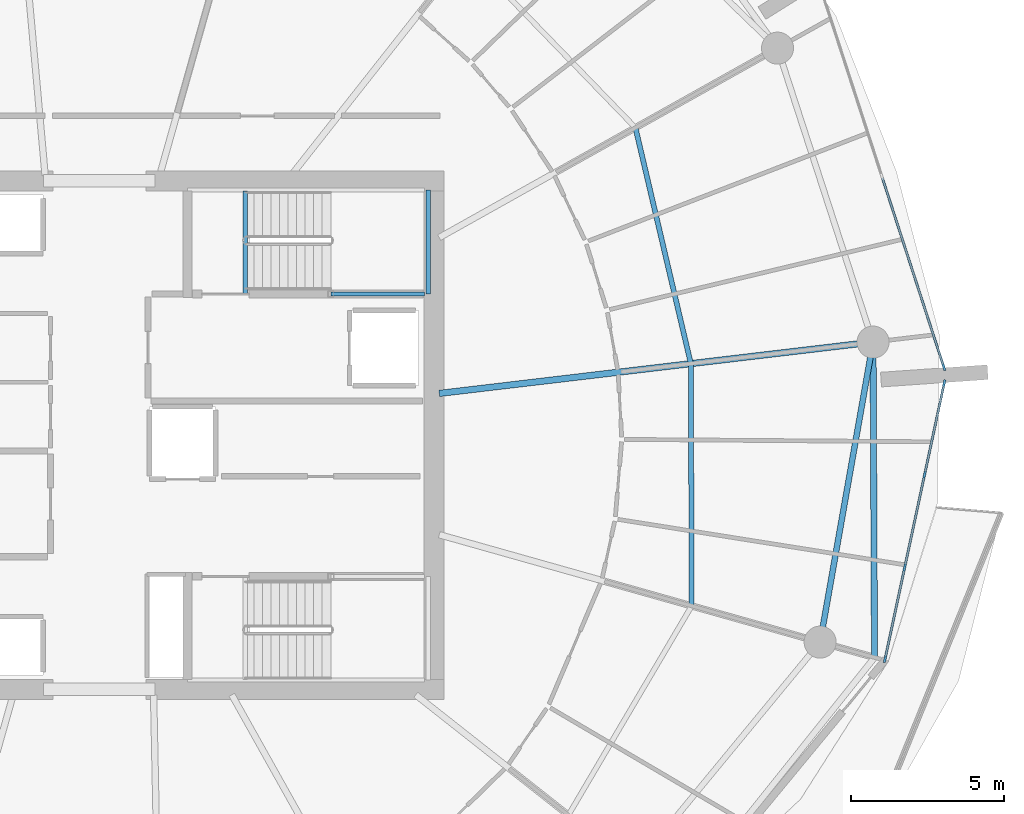
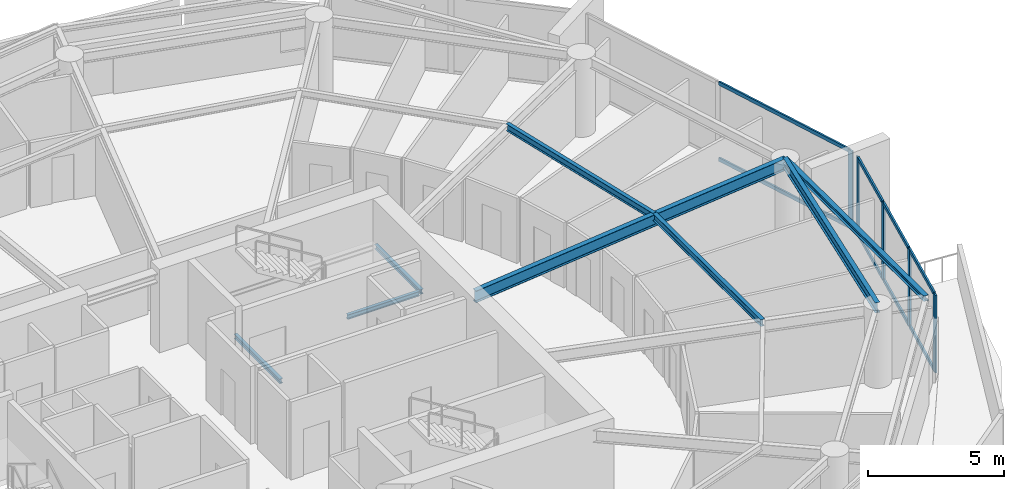
# One storey, part 7 of 21: 13 members, 8 beams, 2 elements without a shape of their own.
"""IFC4 building model written with IfcOpenShell, lengths in metres."""

from ifc_helpers import new_model, si_unit, direction, frame, origin, origin_2d, place, context, subcontext, project, spatial, rectangle, i_section, extrude, material, layer, layer_set, material_profile, profile_set, type_object, element, aggregate, save


model = new_model("IFC4")

# Units and contexts
model_context = context("Model", 3, precision=1e-05, world=origin(), true_north=direction((0.0, 1.0)))
body_context = subcontext(model_context, "Body", "Model", "MODEL_VIEW")
ifc_project = project(units=[si_unit("LENGTHUNIT", "METRE"), si_unit("AREAUNIT", "SQUARE_METRE"), si_unit("VOLUMEUNIT", "CUBIC_METRE"), si_unit("PLANEANGLEUNIT", "RADIAN"), si_unit("MASSUNIT", "GRAM", prefix="KILO")], contexts=[model_context])

# Site, building, storey
site_placement = place(None, origin())
site = spatial("IfcSite", under=ifc_project, at=site_placement, CompositionType="ELEMENT")
building_placement = place(site_placement, origin())
building = spatial("IfcBuilding", under=site, at=building_placement, Name="Kazma Halo Residences", CompositionType="ELEMENT")
storey_placement = place(building_placement, frame((0.0, 0.0, 187.800048828125)))
storey = spatial("IfcBuildingStorey", under=building, at=storey_placement, Name="L47", CompositionType="ELEMENT", Elevation=187.800048828125)

# Beams
ifc_material_1 = material(Name="Steel S355", Category="steel")
ifc_material_profile_1 = material_profile(ifc_material_1, i_section(OverallWidth=0.201904296875, OverallDepth=0.2470703125, WebThickness=0.00732421875, FlangeThickness=0.010986328125, FilletRadius=0.011962890625, at=origin_2d()), Name="W250x49.1")
ifc_profile_set_1 = profile_set([ifc_material_profile_1], Name="Steel S355")
beam_type_1 = type_object("IfcBeamType", Name="BM-BAL-CANT", PredefinedType="BEAM", material=ifc_profile_set_1)
beam_1_placement = place(storey_placement, frame((73.80029296875, 34.723388671875, 3.37646484375), z_axis=(-0.004705663334, 0.999988928305, 0.0), x_axis=(-0.999988928305, -0.004705663334, 0.0)))
element("IfcBeam", 1, at=beam_1_placement, inside=storey, type_object=beam_type_1, Name="L47 wave-balcony tie beam 15", PredefinedType="BEAM", context=body_context, shape_type="SweptSolid", body=[
    extrude(i_section(OverallWidth=0.201904296875, OverallDepth=0.2470703125, WebThickness=0.00732421875, FlangeThickness=0.010986328125, FilletRadius=0.011962890625, at=origin_2d()), origin(), (0.0, 0.0, 1.0), 10.324462890625),
])
ifc_material_profile_2 = material_profile(ifc_material_1, i_section(OverallWidth=0.208984375, OverallDepth=0.532958984375, WebThickness=0.01025390625, FlangeThickness=0.015625, FilletRadius=0.01611328125, at=origin_2d()), Name="W530x92")
ifc_profile_set_2 = profile_set([ifc_material_profile_2], Name="Steel S355")
beam_type_2 = type_object("IfcBeamType", Name="BM-RAD-W530", PredefinedType="BEAM", material=ifc_profile_set_2)
beam_2_placement = place(storey_placement, frame((59.550048828125, 43.366943359375, 3.2333984375), z_axis=(0.993068204292, 0.117539532174, 0.0), x_axis=(-0.117539532174, 0.993068204292, 0.0)))
element("IfcBeam", 2, at=beam_2_placement, inside=storey, type_object=beam_type_2, Name="L47 radial floor beam 16", PredefinedType="BEAM", context=body_context, shape_type="SweptSolid", body=[
    extrude(i_section(OverallWidth=0.208984375, OverallDepth=0.532958984375, WebThickness=0.01025390625, FlangeThickness=0.015625, FilletRadius=0.01611328125, at=origin_2d()), origin(), (0.0, 0.0, 1.0), 14.30078125),
])
ifc_material_profile_3 = material_profile(ifc_material_1, i_section(OverallWidth=0.1650390625, OverallDepth=0.31005859375, WebThickness=0.005859375, FlangeThickness=0.009765625, FilletRadius=0.011962890625, at=origin_2d()), Name="W310x38.7")
ifc_profile_set_3 = profile_set([ifc_material_profile_3], Name="Steel S355")
beam_type_3 = type_object("IfcBeamType", Name="BM-SEC-W310B", PredefinedType="JOIST", material=ifc_profile_set_3)
beam_3_placement = place(storey_placement, frame((67.815185546875, 36.41162109375, 3.344970703125), z_axis=(-0.003540400199, 0.999993732764, 0.0), x_axis=(-0.999993732764, -0.003540400199, 0.0)))
element("IfcBeam", 3, at=beam_3_placement, inside=storey, type_object=beam_type_3, Name="L47 circumferential floor joist 15", PredefinedType="JOIST", context=body_context, shape_type="SweptSolid", body=[
    extrude(i_section(OverallWidth=0.1650390625, OverallDepth=0.31005859375, WebThickness=0.005859375, FlangeThickness=0.009765625, FilletRadius=0.011962890625, at=origin_2d()), origin(), (0.0, 0.0, 1.0), 7.93017578125),
])
beam_4_placement = place(storey_placement, frame((67.787109375, 44.341796875, 3.344970703125), z_axis=(-0.228572787048, 0.973526826041, 0.0), x_axis=(-0.973526826041, -0.228572787048, 0.0)))
element("IfcBeam", 4, at=beam_4_placement, inside=storey, type_object=beam_type_3, Name="L47 circumferential floor joist 16", PredefinedType="JOIST", context=body_context, shape_type="SweptSolid", body=[
    extrude(i_section(OverallWidth=0.1650390625, OverallDepth=0.31005859375, WebThickness=0.005859375, FlangeThickness=0.009765625, FilletRadius=0.011962890625, at=origin_2d()), origin(), (0.0, 0.0, 1.0), 7.933837890625),
])
ifc_material_profile_4 = material_profile(ifc_material_1, i_section(OverallWidth=0.18994140625, OverallDepth=0.45703125, WebThickness=0.009033203125, FlangeThickness=0.014404296875, FilletRadius=0.01611328125, at=origin_2d()), Name="W460x74")
ifc_profile_set_4 = profile_set([ifc_material_profile_4], Name="Steel S355")
beam_type_4 = type_object("IfcBeamType", Name="BM-SPN-W460", PredefinedType="BEAM", material=ifc_profile_set_4)
beam_5_placement = place(storey_placement, frame((72.019775390625, 35.2255859375, 3.271484375), z_axis=(0.173648484202, 0.984807698962, 0.0), x_axis=(-0.984807698962, 0.173648484202, 0.0)))
element("IfcBeam", 5, at=beam_5_placement, inside=storey, type_object=beam_type_4, Name="L47 perimeter ring beam 15", PredefinedType="BEAM", context=body_context, shape_type="SweptSolid", body=[
    extrude(i_section(OverallWidth=0.18994140625, OverallDepth=0.45703125, WebThickness=0.009033203125, FlangeThickness=0.014404296875, FilletRadius=0.01611328125, at=origin_2d()), origin(), (0.0, 0.0, 1.0), 9.973876953125),
])
ifc_material_profile_5 = material_profile(ifc_material_1, i_section(OverallWidth=0.133056640625, OverallDepth=0.20703125, WebThickness=0.005859375, FlangeThickness=0.00830078125, FilletRadius=0.010009765625, at=origin_2d()), Name="W200x26.6")
ifc_profile_set_5 = profile_set([ifc_material_profile_5], Name="Steel S355")
beam_type_5 = type_object("IfcBeamType", Name="BM-TRIM-W200", PredefinedType="BEAM", material=ifc_profile_set_5)
beam_6_placement = place(storey_placement, frame((53.199951171875, 46.6201171875, -0.360107421875), z_axis=(0.0, 1.0, 0.0), x_axis=(-1.0, 0.0, 0.0)))
element("IfcBeam", 6, at=beam_6_placement, inside=storey, type_object=beam_type_5, Name="L47 ST-02 floor landing support beam", PredefinedType="BEAM", context=body_context, shape_type="SweptSolid", body=[
    extrude(i_section(OverallWidth=0.133056640625, OverallDepth=0.20703125, WebThickness=0.005859375, FlangeThickness=0.00830078125, FilletRadius=0.010009765625, at=origin_2d()), origin(), (0.0, 0.0, 1.0), 3.3798828125),
])
beam_7_placement = place(storey_placement, frame((56.0, 46.6201171875, 1.570068359375), z_axis=(1.0, 0.0, 0.0), x_axis=(0.0, 1.0, 0.0)))
element("IfcBeam", 7, at=beam_7_placement, inside=storey, type_object=beam_type_5, Name="L47 ST-02 landing south wall ledger", PredefinedType="BEAM", context=body_context, shape_type="SweptSolid", body=[
    extrude(i_section(OverallWidth=0.133056640625, OverallDepth=0.20703125, WebThickness=0.005859375, FlangeThickness=0.00830078125, FilletRadius=0.010009765625, at=origin_2d()), origin(), (0.0, 0.0, 1.0), 3.070068359375),
])
beam_8_placement = place(storey_placement, frame((59.18994140625, 46.6201171875, 1.570068359375), z_axis=(0.0, 1.0, 0.0), x_axis=(-1.0, 0.0, 0.0)))
element("IfcBeam", 8, at=beam_8_placement, inside=storey, type_object=beam_type_5, Name="L47 ST-02 landing end wall ledger", PredefinedType="BEAM", context=body_context, shape_type="SweptSolid", body=[
    extrude(i_section(OverallWidth=0.133056640625, OverallDepth=0.20703125, WebThickness=0.005859375, FlangeThickness=0.00830078125, FilletRadius=0.010009765625, at=origin_2d()), origin(), (0.0, 0.0, 1.0), 3.39990234375),
])

# Curtain wall, members
ifc_material_2 = material(Name="Aluminium AW-6063 T6 and Triple-Silver Low-E Glass", Category="aluminium")
ifc_layer = layer(ifc_material_2, 0.219970703125)
ifc_layer_set = layer_set([ifc_layer], Name="Aluminium AW-6063 T6 and Triple-Silver Low-E Glass")
curtain_wall_type = type_object("IfcCurtainWallType", Name="CW-SYS-4", PredefinedType="NOTDEFINED", material=ifc_layer_set)
curtain_wall_1_placement = place(storey_placement, origin())
curtain_wall_1 = element("IfcCurtainWall", 9, at=curtain_wall_1_placement, inside=storey, type_object=curtain_wall_type, Name="L47 unitised curtain wall B15", PredefinedType="NOTDEFINED")
ifc_material_3 = material(Name="Aluminium AW-6063 T6", Category="aluminium")
ifc_material_profile_6 = material_profile(ifc_material_3, rectangle(XDim=0.074951171875, YDim=0.219970703125, at=origin_2d()), Name="CWM-75x220")
ifc_profile_set_6 = profile_set([ifc_material_profile_6], Name="Aluminium AW-6063 T6")
member_type_1 = type_object("IfcMemberType", Name="CW-SYS-4-MUL", PredefinedType="MULLION", material=ifc_profile_set_6)
member_1_placement = place(storey_placement, frame((74.1435546875, 34.665771484375, 0.0), z_axis=(0.0, 0.0, 1.0), x_axis=(-0.977768017212, 0.209689543175, 0.0)))
member_1 = element("IfcMember", 10, at=member_1_placement, type_object=member_type_1, Name="CWS-4 mullion 1", PredefinedType="MULLION", context=body_context, shape_type="SweptSolid", body=[
    extrude(rectangle(XDim=0.074951171875, YDim=0.219970703125, at=origin_2d()), origin(), (0.0, 0.0, 1.0), 3.5),
])
member_2_placement = place(storey_placement, frame((74.787109375, 37.6669921875, 0.0), z_axis=(0.0, 0.0, 1.0), x_axis=(-0.977768017212, 0.209689543175, 0.0)))
member_2 = element("IfcMember", 11, at=member_2_placement, type_object=member_type_1, Name="CWS-4 mullion 2", PredefinedType="MULLION", context=body_context, shape_type="SweptSolid", body=[
    extrude(rectangle(XDim=0.074951171875, YDim=0.219970703125, at=origin_2d()), origin(), (0.0, 0.0, 1.0), 3.5),
])
member_3_placement = place(storey_placement, frame((75.438720703125, 40.704833984375, 0.0), z_axis=(0.0, 0.0, 1.0), x_axis=(-0.977768017212, 0.209689543175, 0.0)))
member_3 = element("IfcMember", 12, at=member_3_placement, type_object=member_type_1, Name="CWS-4 mullion 3", PredefinedType="MULLION", context=body_context, shape_type="SweptSolid", body=[
    extrude(rectangle(XDim=0.074951171875, YDim=0.219970703125, at=origin_2d()), origin(), (0.0, 0.0, 1.0), 3.5),
])
member_4_placement = place(storey_placement, frame((76.082275390625, 43.7060546875, 0.0), z_axis=(0.0, 0.0, 1.0), x_axis=(-0.977768017212, 0.209689543175, 0.0)))
member_4 = element("IfcMember", 13, at=member_4_placement, type_object=member_type_1, Name="CWS-4 mullion 4", PredefinedType="MULLION", context=body_context, shape_type="SweptSolid", body=[
    extrude(rectangle(XDim=0.074951171875, YDim=0.219970703125, at=origin_2d()), origin(), (0.0, 0.0, 1.0), 3.5),
])

# Curtain wall, member
curtain_wall_2_placement = place(storey_placement, origin())
curtain_wall_2 = element("IfcCurtainWall", 14, at=curtain_wall_2_placement, inside=storey, type_object=curtain_wall_type, Name="L47 unitised curtain wall B16", PredefinedType="NOTDEFINED")
member_5_placement = place(storey_placement, frame((76.0712890625, 44.22119140625, 0.0), z_axis=(0.0, 0.0, 1.0), x_axis=(-0.951056893636, -0.309015833038, 0.0)))
member_5 = element("IfcMember", 15, at=member_5_placement, type_object=member_type_1, Name="CWS-4 mullion 1", PredefinedType="MULLION", context=body_context, shape_type="SweptSolid", body=[
    extrude(rectangle(XDim=0.074951171875, YDim=0.219970703125, at=origin_2d()), origin(), (0.0, 0.0, 1.0), 3.5),
])

# Member
ifc_material_profile_7 = material_profile(ifc_material_3, rectangle(XDim=0.074951171875, YDim=0.1650390625, at=origin_2d()), Name="CWT-75x165")
ifc_profile_set_7 = profile_set([ifc_material_profile_7], Name="Aluminium AW-6063 T6")
member_type_2 = type_object("IfcMemberType", Name="CW-SYS-4-TRN", PredefinedType="USERDEFINED", material=ifc_profile_set_7)
member_6_placement = place(storey_placement, frame((74.1513671875, 34.702392578125, 0.037353515625), z_axis=(0.209707268418, 0.977764215735, 0.0), x_axis=(-0.977764215735, 0.209707268418, 0.0)))
member_6 = element("IfcMember", 16, at=member_6_placement, type_object=member_type_2, Name="CWS-4 transom 1.1", ObjectType="TRANSOM", PredefinedType="USERDEFINED", context=body_context, shape_type="SweptSolid", body=[
    extrude(rectangle(XDim=0.074951171875, YDim=0.1650390625, at=origin_2d()), origin(), (0.0, 0.0, 1.0), 2.994384765625),
])

member_7_placement = place(storey_placement, frame((74.1513671875, 34.702392578125, 3.46240234375), z_axis=(0.209707268418, 0.977764215735, 0.0), x_axis=(-0.977764215735, 0.209707268418, 0.0)))
member_7 = element("IfcMember", 17, at=member_7_placement, type_object=member_type_2, Name="CWS-4 transom 1.2", ObjectType="TRANSOM", PredefinedType="USERDEFINED", context=body_context, shape_type="SweptSolid", body=[
    extrude(rectangle(XDim=0.074951171875, YDim=0.1650390625, at=origin_2d()), origin(), (0.0, 0.0, 1.0), 2.994384765625),
])

member_8_placement = place(storey_placement, frame((74.794921875, 37.70361328125, 0.037353515625), z_axis=(0.209677559804, 0.977770587057, 0.0), x_axis=(-0.977770587057, 0.209677559804, 0.0)))
member_8 = element("IfcMember", 18, at=member_8_placement, type_object=member_type_2, Name="CWS-4 transom 2.1", ObjectType="TRANSOM", PredefinedType="USERDEFINED", context=body_context, shape_type="SweptSolid", body=[
    extrude(rectangle(XDim=0.074951171875, YDim=0.1650390625, at=origin_2d()), origin(), (0.0, 0.0, 1.0), 3.031982421875),
])

member_9_placement = place(storey_placement, frame((74.794921875, 37.70361328125, 3.46240234375), z_axis=(0.209677559804, 0.977770587057, 0.0), x_axis=(-0.977770587057, 0.209677559804, 0.0)))
member_9 = element("IfcMember", 19, at=member_9_placement, type_object=member_type_2, Name="CWS-4 transom 2.2", ObjectType="TRANSOM", PredefinedType="USERDEFINED", context=body_context, shape_type="SweptSolid", body=[
    extrude(rectangle(XDim=0.074951171875, YDim=0.1650390625, at=origin_2d()), origin(), (0.0, 0.0, 1.0), 3.031982421875),
])

member_10_placement = place(storey_placement, frame((75.446533203125, 40.741455078125, 0.037353515625), z_axis=(0.209690551496, 0.97776780097, 0.0), x_axis=(-0.97776780097, 0.209690551496, 0.0)))
member_10 = element("IfcMember", 20, at=member_10_placement, type_object=member_type_2, Name="CWS-4 transom 3.1", ObjectType="TRANSOM", PredefinedType="USERDEFINED", context=body_context, shape_type="SweptSolid", body=[
    extrude(rectangle(XDim=0.074951171875, YDim=0.1650390625, at=origin_2d()), origin(), (0.0, 0.0, 1.0), 2.99462890625),
])

member_11_placement = place(storey_placement, frame((75.446533203125, 40.741455078125, 3.46240234375), z_axis=(0.209690551496, 0.97776780097, 0.0), x_axis=(-0.97776780097, 0.209690551496, 0.0)))
member_11 = element("IfcMember", 21, at=member_11_placement, type_object=member_type_2, Name="CWS-4 transom 3.2", ObjectType="TRANSOM", PredefinedType="USERDEFINED", context=body_context, shape_type="SweptSolid", body=[
    extrude(rectangle(XDim=0.074951171875, YDim=0.1650390625, at=origin_2d()), origin(), (0.0, 0.0, 1.0), 2.99462890625),
])

aggregate(curtain_wall_1, [member_1, member_2, member_3, member_4, member_6, member_7, member_8, member_9, member_10, member_11])

member_12_placement = place(storey_placement, frame((76.0595703125, 44.2568359375, 0.037353515625), z_axis=(-0.30902650142, 0.951053427217, 0.0), x_axis=(-0.951053427217, -0.30902650142, 0.0)))
member_12 = element("IfcMember", 22, at=member_12_placement, type_object=member_type_2, Name="CWS-4 transom 1.1", ObjectType="TRANSOM", PredefinedType="USERDEFINED", context=body_context, shape_type="SweptSolid", body=[
    extrude(rectangle(XDim=0.074951171875, YDim=0.1650390625, at=origin_2d()), origin(), (0.0, 0.0, 1.0), 6.487060546875),
])

member_13_placement = place(storey_placement, frame((76.0595703125, 44.2568359375, 3.46240234375), z_axis=(-0.30902650142, 0.951053427217, 0.0), x_axis=(-0.951053427217, -0.30902650142, 0.0)))
member_13 = element("IfcMember", 23, at=member_13_placement, type_object=member_type_2, Name="CWS-4 transom 1.2", ObjectType="TRANSOM", PredefinedType="USERDEFINED", context=body_context, shape_type="SweptSolid", body=[
    extrude(rectangle(XDim=0.074951171875, YDim=0.1650390625, at=origin_2d()), origin(), (0.0, 0.0, 1.0), 6.487060546875),
])

aggregate(curtain_wall_2, [member_5, member_12, member_13])

save(model, "model.ifc")
